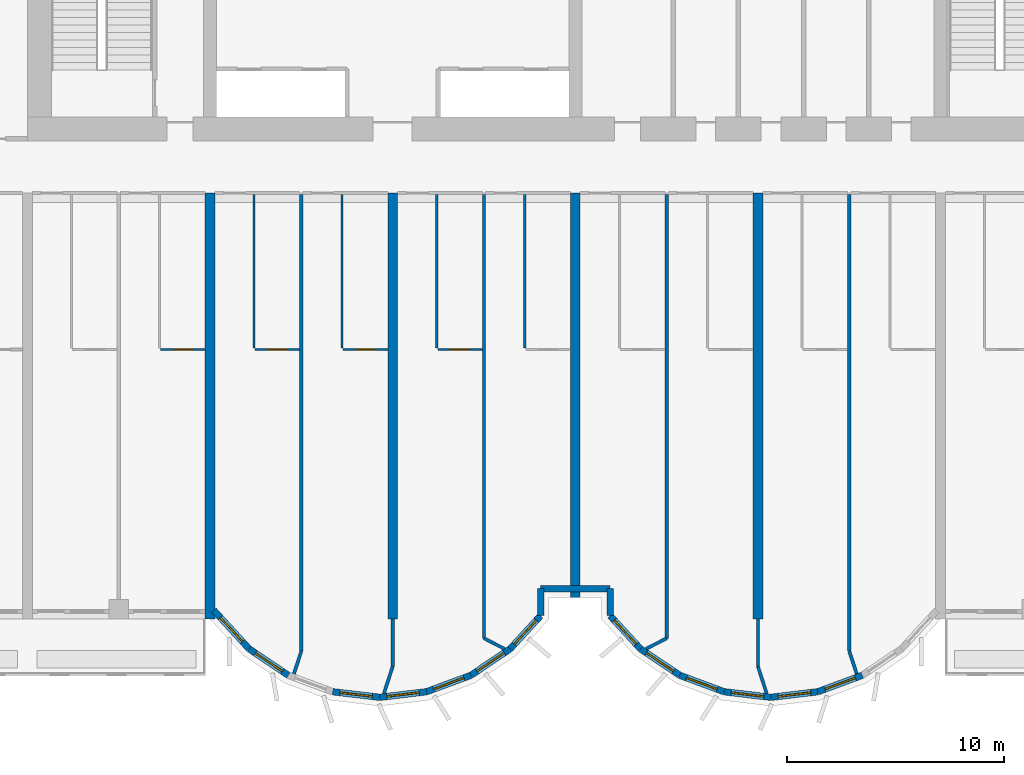
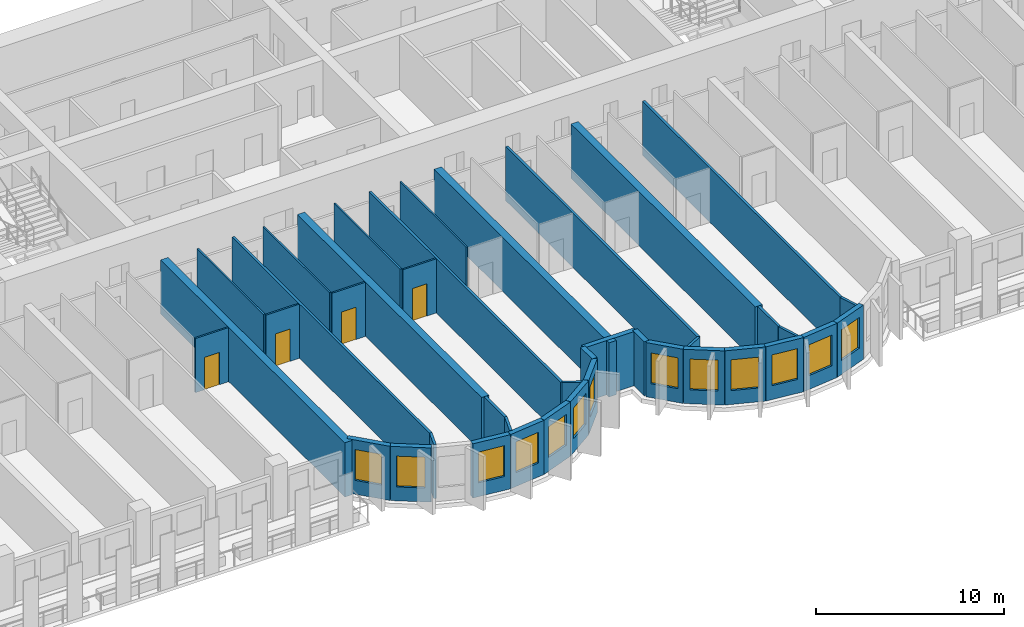
# One storey, part 4 of 15: 40 walls, 13 windows, 4 doors, 17 openings.
"""IFC4 building model written with IfcOpenShell, lengths in metres."""

from ifc_helpers import new_model, si_unit, direction, frame, frame_2d, origin, place, context, subcontext, project, spatial, rectangle, extrude, source, transform, mapped, material, layer, layer_set, type_object, element, fill, save


model = new_model("IFC4")

# Units and contexts
model_context = context("Model", 3, precision=1e-05, world=origin(), true_north=direction((0.0, 1.0)))
body_context = subcontext(model_context, "Body", "Model", "MODEL_VIEW")
ifc_project = project(units=[si_unit("LENGTHUNIT", "METRE"), si_unit("AREAUNIT", "SQUARE_METRE"), si_unit("VOLUMEUNIT", "CUBIC_METRE"), si_unit("PLANEANGLEUNIT", "RADIAN"), si_unit("MASSUNIT", "GRAM", prefix="KILO")], contexts=[model_context])

# Site, building, storey
site_placement = place(None, origin())
site = spatial("IfcSite", under=ifc_project, at=site_placement, CompositionType="ELEMENT")
building_placement = place(site_placement, origin())
building = spatial("IfcBuilding", under=site, at=building_placement, Name="Vanashikhar Sky Hotel", CompositionType="ELEMENT")
storey_placement = place(building_placement, frame((0.0, 0.0, 35.39990234375)))
storey = spatial("IfcBuildingStorey", under=building, at=storey_placement, Name="L07", CompositionType="ELEMENT", Elevation=35.39990234375)

# Walls
ifc_material_1 = material(Name="Concrete M80", Category="concrete")
ifc_layer_1 = layer(ifc_material_1, 0.449951171875)
ifc_layer_set_1 = layer_set([ifc_layer_1], Name="RC shear wall 450 Concrete M80")
wall_type_1 = type_object("IfcWallType", Name="RC shear wall 450 Concrete M80", PredefinedType="SHEAR", material=ifc_layer_set_1)
shared_shape_1 = source(origin(), body_context, "Body", "SweptSolid", [
    extrude(rectangle(XDim=19.60009765625, YDim=0.449951171875, at=frame_2d((9.800048828125, 0.0))), origin(), (0.0, 0.0, 1.0), 3.52001953125),
])
for number, where, z_axis, x_axis, name in (
    (1, (33.60009765625, 0.0, 0.0), (0.0, 0.0, 1.0), (0.0, 1.0, 0.0), "CW-L07-XW05-1"),
    (2, (42.0, 0.0, 0.0), (0.0, 0.0, 1.0), (0.0, 1.0, 0.0), "CW-L07-XW06-1"),
    (3, (58.800048828125, 0.0, 0.0), (0.0, 0.0, 1.0), (0.0, 1.0, 0.0), "CW-L07-XW08-1"),
):
    element("IfcWall", number, at=place(storey_placement, frame(where, z_axis=z_axis, x_axis=x_axis)), inside=storey, type_object=wall_type_1, Name=name, PredefinedType="SHEAR", context=body_context, shape_type="MappedRepresentation", body=[
        mapped(shared_shape_1, transform((0.0, 0.0, 0.0), scale=1.0)),
    ])
shared_shape_2 = source(origin(), body_context, "Body", "SweptSolid", [
    extrude(rectangle(XDim=18.60009765625, YDim=0.449951171875, at=frame_2d((9.300048828125, 0.0))), origin(), (0.0, 0.0, 1.0), 3.52001953125),
])
wall_1_placement = place(storey_placement, frame((50.39990234375, 1.0, 0.0), z_axis=(0.0, 0.0, 1.0), x_axis=(0.0, 1.0, 0.0)))
element("IfcWall", 4, at=wall_1_placement, inside=storey, type_object=wall_type_1, Name="CW-L07-XW07-1", PredefinedType="SHEAR", context=body_context, shape_type="MappedRepresentation", body=[
    mapped(shared_shape_2, transform((0.0, 0.0, 0.0), scale=1.0)),
])

# Wall, opening, window
ifc_material_2 = material(Name="Concrete M50", Category="concrete")
ifc_layer_2 = layer(ifc_material_2, 0.300048828125)
ifc_layer_set_2 = layer_set([ifc_layer_2], Name="Lobe wall 300")
wall_type_2 = type_object("IfcWallType", Name="Lobe wall 300", PredefinedType="SOLIDWALL", material=ifc_layer_set_2)
shared_shape_3 = source(origin(), body_context, "Body", "SweptSolid", [
    extrude(rectangle(XDim=2.398193359375, YDim=0.300048828125, at=frame_2d((1.19921875, 0.0))), origin(), (0.0, 0.0, 1.0), 3.52001953125),
])
wall_2_placement = place(storey_placement, frame((33.776123046875, 0.39990234375, 0.0), z_axis=(0.0, 0.0, 1.0), x_axis=(0.675374189419, -0.737475222815, 0.0)))
wall_2 = element("IfcWall", 5, at=wall_2_placement, inside=storey, type_object=wall_type_2, Name="Lobe wall", PredefinedType="SOLIDWALL", context=body_context, shape_type="MappedRepresentation", body=[
    mapped(shared_shape_3, transform((0.0, 0.0, 0.0), scale=1.0)),
])
shared_shape_4 = source(origin(), body_context, "Body", "SweptSolid", [
    extrude(rectangle(XDim=1.5, YDim=2.0, at=frame_2d((0.75, 1.0))), frame((0.0, 0.16015625, 0.0), z_axis=(0.0, -1.0, 0.0), x_axis=(1.0, 0.0, 0.0)), (0.0, 0.0, 1.0), 0.320068359375),
])
opening_1_placement = place(wall_2_placement, frame((0.44921875, 0.0, 0.89990234375)))
opening_1 = element("IfcOpeningElement", 6, at=opening_1_placement, cuts=wall_2, Name="Opening WN-2", PredefinedType="OPENING", context=body_context, shape_type="MappedRepresentation", body=[
    mapped(shared_shape_4, transform((0.0, 0.0, 0.0), scale=1.0)),
])
ifc_material_3 = material(Name="Glass", Category="glass")
window_type = type_object("IfcWindowType", Name="Lobe window 1500 x 2000", PartitioningType="SINGLE_PANEL", PredefinedType="WINDOW", material=ifc_material_3)
shared_shape_5 = source(origin(), body_context, "Body", "SweptSolid", [
    extrude(rectangle(XDim=1.5, YDim=2.0, at=frame_2d((0.75, 1.0))), frame((0.0, 0.030029296875, 0.0), z_axis=(0.0, -1.0, 0.0), x_axis=(1.0, 0.0, 0.0)), (0.0, 0.0, 1.0), 0.06005859375),
])
window_1_placement = place(opening_1_placement, origin())
window_1 = element("IfcWindow", 7, at=window_1_placement, inside=storey, type_object=window_type, Name="Window WN-2", OverallHeight=2.0, OverallWidth=1.5, PartitioningType="SINGLE_PANEL", PredefinedType="WINDOW", context=body_context, shape_type="MappedRepresentation", body=[
    mapped(shared_shape_5, transform((0.0, 0.0, 0.0), scale=1.0)),
])
fill(opening_1, window_1)

shared_shape_6 = source(origin(), body_context, "Body", "SweptSolid", [
    extrude(rectangle(XDim=2.17578125, YDim=0.300048828125, at=frame_2d((1.087890625, 0.0))), origin(), (0.0, 0.0, 1.0), 3.52001953125),
])
wall_3_placement = place(storey_placement, frame((35.395751953125, -1.36865234375, 0.0), z_axis=(0.0, 0.0, 1.0), x_axis=(0.829590746428, -0.558371913192, 0.0)))
wall_3 = element("IfcWall", 8, at=wall_3_placement, inside=storey, type_object=wall_type_2, Name="Lobe wall", PredefinedType="SOLIDWALL", context=body_context, shape_type="MappedRepresentation", body=[
    mapped(shared_shape_6, transform((0.0, 0.0, 0.0), scale=1.0)),
])
opening_2_placement = place(wall_3_placement, frame((0.337890625, 0.0, 0.89990234375)))
opening_2 = element("IfcOpeningElement", 9, at=opening_2_placement, cuts=wall_3, Name="Opening WN-2", PredefinedType="OPENING", context=body_context, shape_type="MappedRepresentation", body=[
    mapped(shared_shape_4, transform((0.0, 0.0, 0.0), scale=1.0)),
])
window_2_placement = place(opening_2_placement, origin())
window_2 = element("IfcWindow", 10, at=window_2_placement, inside=storey, type_object=window_type, Name="Window WN-2", OverallHeight=2.0, OverallWidth=1.5, PartitioningType="SINGLE_PANEL", PredefinedType="WINDOW", context=body_context, shape_type="MappedRepresentation", body=[
    mapped(shared_shape_5, transform((0.0, 0.0, 0.0), scale=1.0)),
])
fill(opening_2, window_2)

wall_4_placement = place(storey_placement, frame((45.59912109375, -2.58349609375, 0.0), z_axis=(0.0, 0.0, 1.0), x_axis=(0.829625727223, 0.558319937607, 0.0)))
wall_4 = element("IfcWall", 11, at=wall_4_placement, inside=storey, type_object=wall_type_2, Name="Lobe wall", PredefinedType="SOLIDWALL", context=body_context, shape_type="MappedRepresentation", body=[
    mapped(shared_shape_6, transform((0.0, 0.0, 0.0), scale=1.0)),
])
opening_3_placement = place(wall_4_placement, frame((0.337890625, 0.0, 0.89990234375)))
opening_3 = element("IfcOpeningElement", 12, at=opening_3_placement, cuts=wall_4, Name="Opening WN-2", PredefinedType="OPENING", context=body_context, shape_type="MappedRepresentation", body=[
    mapped(shared_shape_4, transform((0.0, 0.0, 0.0), scale=1.0)),
])
window_3_placement = place(opening_3_placement, origin())
window_3 = element("IfcWindow", 13, at=window_3_placement, inside=storey, type_object=window_type, Name="Window WN-2", OverallHeight=2.0, OverallWidth=1.5, PartitioningType="SINGLE_PANEL", PredefinedType="WINDOW", context=body_context, shape_type="MappedRepresentation", body=[
    mapped(shared_shape_5, transform((0.0, 0.0, 0.0), scale=1.0)),
])
fill(opening_3, window_3)

wall_5_placement = place(storey_placement, frame((53.395751953125, -1.36865234375, 0.0), z_axis=(0.0, 0.0, 1.0), x_axis=(0.829590746428, -0.558371913192, 0.0)))
wall_5 = element("IfcWall", 14, at=wall_5_placement, inside=storey, type_object=wall_type_2, Name="Lobe wall", PredefinedType="SOLIDWALL", context=body_context, shape_type="MappedRepresentation", body=[
    mapped(shared_shape_6, transform((0.0, 0.0, 0.0), scale=1.0)),
])
opening_4_placement = place(wall_5_placement, frame((0.337890625, 0.0, 0.89990234375)))
opening_4 = element("IfcOpeningElement", 15, at=opening_4_placement, cuts=wall_5, Name="Opening WN-2", PredefinedType="OPENING", context=body_context, shape_type="MappedRepresentation", body=[
    mapped(shared_shape_4, transform((0.0, 0.0, 0.0), scale=1.0)),
])
window_4_placement = place(opening_4_placement, origin())
window_4 = element("IfcWindow", 16, at=window_4_placement, inside=storey, type_object=window_type, Name="Window WN-2", OverallHeight=2.0, OverallWidth=1.5, PartitioningType="SINGLE_PANEL", PredefinedType="WINDOW", context=body_context, shape_type="MappedRepresentation", body=[
    mapped(shared_shape_5, transform((0.0, 0.0, 0.0), scale=1.0)),
])
fill(opening_4, window_4)

wall_6_placement = place(storey_placement, frame((55.20068359375, -2.58349609375, 0.0), z_axis=(0.0, 0.0, 1.0), x_axis=(0.93754555999, -0.347862505801, 0.0)))
wall_6 = element("IfcWall", 17, at=wall_6_placement, inside=storey, type_object=wall_type_2, Name="Lobe wall", PredefinedType="SOLIDWALL", context=body_context, shape_type="MappedRepresentation", body=[
    mapped(shared_shape_6, transform((0.0, 0.0, 0.0), scale=1.0)),
])
opening_5_placement = place(wall_6_placement, frame((0.337890625, 0.0, 0.89990234375)))
opening_5 = element("IfcOpeningElement", 18, at=opening_5_placement, cuts=wall_6, Name="Opening WN-2", PredefinedType="OPENING", context=body_context, shape_type="MappedRepresentation", body=[
    mapped(shared_shape_4, transform((0.0, 0.0, 0.0), scale=1.0)),
])
window_5_placement = place(opening_5_placement, origin())
window_5 = element("IfcWindow", 19, at=window_5_placement, inside=storey, type_object=window_type, Name="Window WN-2", OverallHeight=2.0, OverallWidth=1.5, PartitioningType="SINGLE_PANEL", PredefinedType="WINDOW", context=body_context, shape_type="MappedRepresentation", body=[
    mapped(shared_shape_5, transform((0.0, 0.0, 0.0), scale=1.0)),
])
fill(opening_5, window_5)

shared_shape_7 = source(origin(), body_context, "Body", "SweptSolid", [
    extrude(rectangle(XDim=2.174560546875, YDim=0.300048828125, at=frame_2d((1.08740234375, 0.0))), origin(), (0.0, 0.0, 1.0), 3.52001953125),
])
wall_7_placement = place(storey_placement, frame((39.240478515625, -3.34033203125, 0.0), z_axis=(0.0, 0.0, 1.0), x_axis=(0.993001132889, -0.118104826659, 0.0)))
wall_7 = element("IfcWall", 20, at=wall_7_placement, inside=storey, type_object=wall_type_2, Name="Lobe wall", PredefinedType="SOLIDWALL", context=body_context, shape_type="MappedRepresentation", body=[
    mapped(shared_shape_7, transform((0.0, 0.0, 0.0), scale=1.0)),
])
opening_6_placement = place(wall_7_placement, frame((0.33740234375, 0.0, 0.89990234375)))
opening_6 = element("IfcOpeningElement", 21, at=opening_6_placement, cuts=wall_7, Name="Opening WN-2", PredefinedType="OPENING", context=body_context, shape_type="MappedRepresentation", body=[
    mapped(shared_shape_4, transform((0.0, 0.0, 0.0), scale=1.0)),
])
window_6_placement = place(opening_6_placement, origin())
window_6 = element("IfcWindow", 22, at=window_6_placement, inside=storey, type_object=window_type, Name="Window WN-2", OverallHeight=2.0, OverallWidth=1.5, PartitioningType="SINGLE_PANEL", PredefinedType="WINDOW", context=body_context, shape_type="MappedRepresentation", body=[
    mapped(shared_shape_5, transform((0.0, 0.0, 0.0), scale=1.0)),
])
fill(opening_6, window_6)

wall_8_placement = place(storey_placement, frame((57.240478515625, -3.34033203125, 0.0), z_axis=(0.0, 0.0, 1.0), x_axis=(0.993001132889, -0.118104826659, 0.0)))
wall_8 = element("IfcWall", 23, at=wall_8_placement, inside=storey, type_object=wall_type_2, Name="Lobe wall", PredefinedType="SOLIDWALL", context=body_context, shape_type="MappedRepresentation", body=[
    mapped(shared_shape_7, transform((0.0, 0.0, 0.0), scale=1.0)),
])
opening_7_placement = place(wall_8_placement, frame((0.33740234375, 0.0, 0.89990234375)))
opening_7 = element("IfcOpeningElement", 24, at=opening_7_placement, cuts=wall_8, Name="Opening WN-2", PredefinedType="OPENING", context=body_context, shape_type="MappedRepresentation", body=[
    mapped(shared_shape_4, transform((0.0, 0.0, 0.0), scale=1.0)),
])
window_7_placement = place(opening_7_placement, origin())
window_7 = element("IfcWindow", 25, at=window_7_placement, inside=storey, type_object=window_type, Name="Window WN-2", OverallHeight=2.0, OverallWidth=1.5, PartitioningType="SINGLE_PANEL", PredefinedType="WINDOW", context=body_context, shape_type="MappedRepresentation", body=[
    mapped(shared_shape_5, transform((0.0, 0.0, 0.0), scale=1.0)),
])
fill(opening_7, window_7)

shared_shape_8 = source(origin(), body_context, "Body", "SweptSolid", [
    extrude(rectangle(XDim=2.1748046875, YDim=0.300048828125, at=frame_2d((1.08740234375, 0.0))), origin(), (0.0, 0.0, 1.0), 3.52001953125),
])
wall_9_placement = place(storey_placement, frame((41.39990234375, -3.59716796875, 0.0), z_axis=(0.0, 0.0, 1.0), x_axis=(0.993002698611, 0.118091661648, 0.0)))
wall_9 = element("IfcWall", 26, at=wall_9_placement, inside=storey, type_object=wall_type_2, Name="Lobe wall", PredefinedType="SOLIDWALL", context=body_context, shape_type="MappedRepresentation", body=[
    mapped(shared_shape_8, transform((0.0, 0.0, 0.0), scale=1.0)),
])
opening_8_placement = place(wall_9_placement, frame((0.33740234375, 0.0, 0.89990234375)))
opening_8 = element("IfcOpeningElement", 27, at=opening_8_placement, cuts=wall_9, Name="Opening WN-2", PredefinedType="OPENING", context=body_context, shape_type="MappedRepresentation", body=[
    mapped(shared_shape_4, transform((0.0, 0.0, 0.0), scale=1.0)),
])
window_8_placement = place(opening_8_placement, origin())
window_8 = element("IfcWindow", 28, at=window_8_placement, inside=storey, type_object=window_type, Name="Window WN-2", OverallHeight=2.0, OverallWidth=1.5, PartitioningType="SINGLE_PANEL", PredefinedType="WINDOW", context=body_context, shape_type="MappedRepresentation", body=[
    mapped(shared_shape_5, transform((0.0, 0.0, 0.0), scale=1.0)),
])
fill(opening_8, window_8)

wall_10_placement = place(storey_placement, frame((59.39990234375, -3.59716796875, 0.0), z_axis=(0.0, 0.0, 1.0), x_axis=(0.993002698611, 0.118091661648, 0.0)))
wall_10 = element("IfcWall", 29, at=wall_10_placement, inside=storey, type_object=wall_type_2, Name="Lobe wall", PredefinedType="SOLIDWALL", context=body_context, shape_type="MappedRepresentation", body=[
    mapped(shared_shape_8, transform((0.0, 0.0, 0.0), scale=1.0)),
])
opening_9_placement = place(wall_10_placement, frame((0.33740234375, 0.0, 0.89990234375)))
opening_9 = element("IfcOpeningElement", 30, at=opening_9_placement, cuts=wall_10, Name="Opening WN-2", PredefinedType="OPENING", context=body_context, shape_type="MappedRepresentation", body=[
    mapped(shared_shape_4, transform((0.0, 0.0, 0.0), scale=1.0)),
])
window_9_placement = place(opening_9_placement, origin())
window_9 = element("IfcWindow", 31, at=window_9_placement, inside=storey, type_object=window_type, Name="Window WN-2", OverallHeight=2.0, OverallWidth=1.5, PartitioningType="SINGLE_PANEL", PredefinedType="WINDOW", context=body_context, shape_type="MappedRepresentation", body=[
    mapped(shared_shape_5, transform((0.0, 0.0, 0.0), scale=1.0)),
])
fill(opening_9, window_9)

shared_shape_9 = source(origin(), body_context, "Body", "SweptSolid", [
    extrude(rectangle(XDim=2.175537109375, YDim=0.300048828125, at=frame_2d((1.087890625, 0.0))), origin(), (0.0, 0.0, 1.0), 3.52001953125),
])
wall_11_placement = place(storey_placement, frame((43.5595703125, -3.34033203125, 0.0), z_axis=(0.0, 0.0, 1.0), x_axis=(0.937531979054, 0.347899106424, 0.0)))
wall_11 = element("IfcWall", 32, at=wall_11_placement, inside=storey, type_object=wall_type_2, Name="Lobe wall", PredefinedType="SOLIDWALL", context=body_context, shape_type="MappedRepresentation", body=[
    mapped(shared_shape_9, transform((0.0, 0.0, 0.0), scale=1.0)),
])
opening_10_placement = place(wall_11_placement, frame((0.337890625, 0.0, 0.89990234375)))
opening_10 = element("IfcOpeningElement", 33, at=opening_10_placement, cuts=wall_11, Name="Opening WN-2", PredefinedType="OPENING", context=body_context, shape_type="MappedRepresentation", body=[
    mapped(shared_shape_4, transform((0.0, 0.0, 0.0), scale=1.0)),
])
window_10_placement = place(opening_10_placement, origin())
window_10 = element("IfcWindow", 34, at=window_10_placement, inside=storey, type_object=window_type, Name="Window WN-2", OverallHeight=2.0, OverallWidth=1.5, PartitioningType="SINGLE_PANEL", PredefinedType="WINDOW", context=body_context, shape_type="MappedRepresentation", body=[
    mapped(shared_shape_5, transform((0.0, 0.0, 0.0), scale=1.0)),
])
fill(opening_10, window_10)

wall_12_placement = place(storey_placement, frame((61.5595703125, -3.34033203125, 0.0), z_axis=(0.0, 0.0, 1.0), x_axis=(0.937531979054, 0.347899106424, 0.0)))
wall_12 = element("IfcWall", 35, at=wall_12_placement, inside=storey, type_object=wall_type_2, Name="Lobe wall", PredefinedType="SOLIDWALL", context=body_context, shape_type="MappedRepresentation", body=[
    mapped(shared_shape_9, transform((0.0, 0.0, 0.0), scale=1.0)),
])
opening_11_placement = place(wall_12_placement, frame((0.337890625, 0.0, 0.89990234375)))
opening_11 = element("IfcOpeningElement", 36, at=opening_11_placement, cuts=wall_12, Name="Opening WN-2", PredefinedType="OPENING", context=body_context, shape_type="MappedRepresentation", body=[
    mapped(shared_shape_4, transform((0.0, 0.0, 0.0), scale=1.0)),
])
window_11_placement = place(opening_11_placement, origin())
window_11 = element("IfcWindow", 37, at=window_11_placement, inside=storey, type_object=window_type, Name="Window WN-2", OverallHeight=2.0, OverallWidth=1.5, PartitioningType="SINGLE_PANEL", PredefinedType="WINDOW", context=body_context, shape_type="MappedRepresentation", body=[
    mapped(shared_shape_5, transform((0.0, 0.0, 0.0), scale=1.0)),
])
fill(opening_11, window_11)

shared_shape_10 = source(origin(), body_context, "Body", "SweptSolid", [
    extrude(rectangle(XDim=2.066650390625, YDim=0.300048828125, at=frame_2d((1.033203125, 0.0))), origin(), (0.0, 0.0, 1.0), 3.52001953125),
])
wall_13_placement = place(storey_placement, frame((47.404296875, -1.36865234375, 0.0), z_axis=(0.0, 0.0, 1.0), x_axis=(0.675355439877, 0.737492393065, 0.0)))
wall_13 = element("IfcWall", 38, at=wall_13_placement, inside=storey, type_object=wall_type_2, Name="Lobe wall", PredefinedType="SOLIDWALL", context=body_context, shape_type="MappedRepresentation", body=[
    mapped(shared_shape_10, transform((0.0, 0.0, 0.0), scale=1.0)),
])
opening_12_placement = place(wall_13_placement, frame((0.283447265625, 0.0, 0.89990234375)))
opening_12 = element("IfcOpeningElement", 39, at=opening_12_placement, cuts=wall_13, Name="Opening WN-2", PredefinedType="OPENING", context=body_context, shape_type="MappedRepresentation", body=[
    mapped(shared_shape_4, transform((0.0, 0.0, 0.0), scale=1.0)),
])
window_12_placement = place(opening_12_placement, origin())
window_12 = element("IfcWindow", 40, at=window_12_placement, inside=storey, type_object=window_type, Name="Window WN-2", OverallHeight=2.0, OverallWidth=1.5, PartitioningType="SINGLE_PANEL", PredefinedType="WINDOW", context=body_context, shape_type="MappedRepresentation", body=[
    mapped(shared_shape_5, transform((0.0, 0.0, 0.0), scale=1.0)),
])
fill(opening_12, window_12)

wall_14_placement = place(storey_placement, frame((52.0, 0.155517578125, 0.0), z_axis=(0.0, 0.0, 1.0), x_axis=(0.675355439877, -0.737492393065, 0.0)))
wall_14 = element("IfcWall", 41, at=wall_14_placement, inside=storey, type_object=wall_type_2, Name="Lobe wall", PredefinedType="SOLIDWALL", context=body_context, shape_type="MappedRepresentation", body=[
    mapped(shared_shape_10, transform((0.0, 0.0, 0.0), scale=1.0)),
])
opening_13_placement = place(wall_14_placement, frame((0.283447265625, 0.0, 0.89990234375)))
opening_13 = element("IfcOpeningElement", 42, at=opening_13_placement, cuts=wall_14, Name="Opening WN-2", PredefinedType="OPENING", context=body_context, shape_type="MappedRepresentation", body=[
    mapped(shared_shape_4, transform((0.0, 0.0, 0.0), scale=1.0)),
])
window_13_placement = place(opening_13_placement, origin())
window_13 = element("IfcWindow", 43, at=window_13_placement, inside=storey, type_object=window_type, Name="Window WN-2", OverallHeight=2.0, OverallWidth=1.5, PartitioningType="SINGLE_PANEL", PredefinedType="WINDOW", context=body_context, shape_type="MappedRepresentation", body=[
    mapped(shared_shape_5, transform((0.0, 0.0, 0.0), scale=1.0)),
])
fill(opening_13, window_13)

# Walls
shared_shape_11 = source(origin(), body_context, "Body", "SweptSolid", [
    extrude(rectangle(XDim=1.244384765625, YDim=0.300048828125, at=frame_2d((0.6220703125, 0.0))), origin(), (0.0, 0.0, 1.0), 3.52001953125),
])
for number, where, z_axis, x_axis, name in (
    (44, (48.800048828125, 0.155517578125, 0.0), (0.0, 0.0, 1.0), (0.0, 1.0, 0.0), "Groove wall"),
    (45, (52.0, 1.39990234375, 0.0), (0.0, 0.0, 1.0), (0.0, -1.0, 0.0), "Groove wall"),
):
    element("IfcWall", number, at=place(storey_placement, frame(where, z_axis=z_axis, x_axis=x_axis)), inside=storey, type_object=wall_type_2, Name=name, PredefinedType="SOLIDWALL", context=body_context, shape_type="MappedRepresentation", body=[
        mapped(shared_shape_11, transform((0.0, 0.0, 0.0), scale=1.0)),
    ])
shared_shape_12 = source(origin(), body_context, "Body", "SweptSolid", [
    extrude(rectangle(XDim=3.199951171875, YDim=0.300048828125, at=frame_2d((1.60009765625, 0.0))), origin(), (0.0, 0.0, 1.0), 3.52001953125),
])
wall_15_placement = place(storey_placement, frame((48.800048828125, 1.39990234375, 0.0), z_axis=(0.0, 0.0, 1.0), x_axis=(1.0, 0.0, 0.0)))
element("IfcWall", 46, at=wall_15_placement, inside=storey, type_object=wall_type_2, Name="Groove wall", PredefinedType="SOLIDWALL", context=body_context, shape_type="MappedRepresentation", body=[
    mapped(shared_shape_12, transform((0.0, 0.0, 0.0), scale=1.0)),
])
ifc_material_4 = material(Name="Gypsum plasterboard partition")
ifc_layer_3 = layer(ifc_material_4, 0.10009765625)
ifc_layer_set_3 = layer_set([ifc_layer_3], Name="Wet room partition 100")
wall_type_3 = type_object("IfcWallType", Name="Wet room partition 100", PredefinedType="PARTITIONING", material=ifc_layer_set_3)
shared_shape_13 = source(origin(), body_context, "Body", "SweptSolid", [
    extrude(rectangle(XDim=7.0498046875, YDim=0.10009765625, at=frame_2d((3.52490234375, 0.0))), origin(), (0.0, 0.0, 1.0), 3.52001953125),
])
for number, where, z_axis, x_axis, name in (
    (47, (35.625, 12.47509765625, 0.0), (0.0, 0.0, 1.0), (0.0, 1.0, 0.0), "W-L07-PW029"),
    (48, (39.675048828125, 12.47509765625, 0.0), (0.0, 0.0, 1.0), (0.0, 1.0, 0.0), "W-L07-PW032"),
    (49, (44.02490234375, 12.47509765625, 0.0), (0.0, 0.0, 1.0), (0.0, 1.0, 0.0), "W-L07-PW036"),
    (50, (48.074951171875, 12.47509765625, 0.0), (0.0, 0.0, 1.0), (0.0, 1.0, 0.0), "W-L07-PW039"),
):
    element("IfcWall", number, at=place(storey_placement, frame(where, z_axis=z_axis, x_axis=x_axis)), inside=storey, type_object=wall_type_3, Name=name, PredefinedType="PARTITIONING", context=body_context, shape_type="MappedRepresentation", body=[
        mapped(shared_shape_13, transform((0.0, 0.0, 0.0), scale=1.0)),
    ])

# Wall, opening, door
shared_shape_14 = source(origin(), body_context, "Body", "SweptSolid", [
    extrude(rectangle(XDim=2.050048828125, YDim=0.10009765625, at=frame_2d((1.02490234375, 0.0))), origin(), (0.0, 0.0, 1.0), 3.52001953125),
])
wall_16_placement = place(storey_placement, frame((31.324951171875, 12.39990234375, 0.0), z_axis=(0.0, 0.0, 1.0), x_axis=(1.0, 0.0, 0.0)))
wall_16 = element("IfcWall", 51, at=wall_16_placement, inside=storey, type_object=wall_type_3, Name="W-L07-PW026", PredefinedType="PARTITIONING", context=body_context, shape_type="MappedRepresentation", body=[
    mapped(shared_shape_14, transform((0.0, 0.0, 0.0), scale=1.0)),
])
shared_shape_15 = source(origin(), body_context, "Body", "SweptSolid", [
    extrude(rectangle(XDim=0.89990234375, YDim=2.10009765625, at=frame_2d((0.449951171875, 1.050048828125))), frame((0.0, 0.06005859375, 0.0), z_axis=(0.0, -1.0, 0.0), x_axis=(1.0, 0.0, 0.0)), (0.0, 0.0, 1.0), 0.1201171875),
])
opening_14_placement = place(wall_16_placement, frame((0.574951171875, 0.0, 0.0)))
opening_14 = element("IfcOpeningElement", 52, at=opening_14_placement, cuts=wall_16, Name="Opening D-02", PredefinedType="OPENING", context=body_context, shape_type="MappedRepresentation", body=[
    mapped(shared_shape_15, transform((0.0, 0.0, 0.0), scale=1.0)),
])
ifc_material_5 = material(Name="Timber door", Category="wood")
door_type = type_object("IfcDoorType", Name="Internal door 900", OperationType="NOTDEFINED", PredefinedType="DOOR", material=ifc_material_5)
shared_shape_16 = source(origin(), body_context, "Body", "SweptSolid", [
    extrude(rectangle(XDim=0.89990234375, YDim=2.10009765625, at=frame_2d((0.449951171875, 1.050048828125))), frame((0.0, 0.02490234375, 0.0), z_axis=(0.0, -1.0, 0.0), x_axis=(1.0, 0.0, 0.0)), (0.0, 0.0, 1.0), 0.050048828125),
])
door_1_placement = place(opening_14_placement, origin())
door_1 = element("IfcDoor", 53, at=door_1_placement, inside=storey, type_object=door_type, Name="D-L07-015", OperationType="SINGLE_SWING_LEFT", OverallHeight=2.10009765625, OverallWidth=0.89990234375, PredefinedType="DOOR", context=body_context, shape_type="MappedRepresentation", body=[
    mapped(shared_shape_16, transform((0.0, 0.0, 0.0), scale=1.0)),
])
fill(opening_14, door_1)

wall_17_placement = place(storey_placement, frame((35.675048828125, 12.39990234375, 0.0), z_axis=(0.0, 0.0, 1.0), x_axis=(1.0, 0.0, 0.0)))
wall_17 = element("IfcWall", 54, at=wall_17_placement, inside=storey, type_object=wall_type_3, Name="W-L07-PW030", PredefinedType="PARTITIONING", context=body_context, shape_type="MappedRepresentation", body=[
    mapped(shared_shape_14, transform((0.0, 0.0, 0.0), scale=1.0)),
])
opening_15_placement = place(wall_17_placement, frame((0.574951171875, 0.0, 0.0)))
opening_15 = element("IfcOpeningElement", 55, at=opening_15_placement, cuts=wall_17, Name="Opening D-02", PredefinedType="OPENING", context=body_context, shape_type="MappedRepresentation", body=[
    mapped(shared_shape_15, transform((0.0, 0.0, 0.0), scale=1.0)),
])
door_2_placement = place(opening_15_placement, origin())
door_2 = element("IfcDoor", 56, at=door_2_placement, inside=storey, type_object=door_type, Name="D-L07-017", OperationType="SINGLE_SWING_LEFT", OverallHeight=2.10009765625, OverallWidth=0.89990234375, PredefinedType="DOOR", context=body_context, shape_type="MappedRepresentation", body=[
    mapped(shared_shape_16, transform((0.0, 0.0, 0.0), scale=1.0)),
])
fill(opening_15, door_2)

wall_18_placement = place(storey_placement, frame((44.074951171875, 12.39990234375, 0.0), z_axis=(0.0, 0.0, 1.0), x_axis=(1.0, 0.0, 0.0)))
wall_18 = element("IfcWall", 57, at=wall_18_placement, inside=storey, type_object=wall_type_3, Name="W-L07-PW037", PredefinedType="PARTITIONING", context=body_context, shape_type="MappedRepresentation", body=[
    mapped(shared_shape_14, transform((0.0, 0.0, 0.0), scale=1.0)),
])
opening_16_placement = place(wall_18_placement, frame((0.574951171875, 0.0, 0.0)))
opening_16 = element("IfcOpeningElement", 58, at=opening_16_placement, cuts=wall_18, Name="Opening D-02", PredefinedType="OPENING", context=body_context, shape_type="MappedRepresentation", body=[
    mapped(shared_shape_15, transform((0.0, 0.0, 0.0), scale=1.0)),
])
door_3_placement = place(opening_16_placement, origin())
door_3 = element("IfcDoor", 59, at=door_3_placement, inside=storey, type_object=door_type, Name="D-L07-021", OperationType="SINGLE_SWING_LEFT", OverallHeight=2.10009765625, OverallWidth=0.89990234375, PredefinedType="DOOR", context=body_context, shape_type="MappedRepresentation", body=[
    mapped(shared_shape_16, transform((0.0, 0.0, 0.0), scale=1.0)),
])
fill(opening_16, door_3)

shared_shape_17 = source(origin(), body_context, "Body", "SweptSolid", [
    extrude(rectangle(XDim=2.0498046875, YDim=0.10009765625, at=frame_2d((1.02490234375, 0.0))), origin(), (0.0, 0.0, 1.0), 3.52001953125),
])
wall_19_placement = place(storey_placement, frame((39.72509765625, 12.39990234375, 0.0), z_axis=(0.0, 0.0, 1.0), x_axis=(1.0, 0.0, 0.0)))
wall_19 = element("IfcWall", 60, at=wall_19_placement, inside=storey, type_object=wall_type_3, Name="W-L07-PW033", PredefinedType="PARTITIONING", context=body_context, shape_type="MappedRepresentation", body=[
    mapped(shared_shape_17, transform((0.0, 0.0, 0.0), scale=1.0)),
])
opening_17_placement = place(wall_19_placement, frame((0.574951171875, 0.0, 0.0)))
opening_17 = element("IfcOpeningElement", 61, at=opening_17_placement, cuts=wall_19, Name="Opening D-02", PredefinedType="OPENING", context=body_context, shape_type="MappedRepresentation", body=[
    mapped(shared_shape_15, transform((0.0, 0.0, 0.0), scale=1.0)),
])
door_4_placement = place(opening_17_placement, origin())
door_4 = element("IfcDoor", 62, at=door_4_placement, inside=storey, type_object=door_type, Name="D-L07-019", OperationType="SINGLE_SWING_LEFT", OverallHeight=2.10009765625, OverallWidth=0.89990234375, PredefinedType="DOOR", context=body_context, shape_type="MappedRepresentation", body=[
    mapped(shared_shape_16, transform((0.0, 0.0, 0.0), scale=1.0)),
])
fill(opening_17, door_4)

# Walls
ifc_layer_4 = layer(ifc_material_4, 0.14990234375)
ifc_layer_set_4 = layer_set([ifc_layer_4], Name="Corridor and demising partition 150")
wall_type_4 = type_object("IfcWallType", Name="Corridor and demising partition 150", PredefinedType="PARTITIONING", material=ifc_layer_set_4)
shared_shape_18 = source(origin(), body_context, "Body", "SweptSolid", [
    extrude(rectangle(XDim=20.997802734375, YDim=0.14990234375, at=frame_2d((10.4990234375, 0.0))), origin(), (0.0, 0.0, 1.0), 3.52001953125),
])
for number, where, z_axis, x_axis, name in (
    (63, (37.800048828125, -1.472900390625, 0.0), (0.0, 0.0, 1.0), (0.0, 1.0, 0.0), "W-L07-PW035"),
    (64, (63.0, -1.472900390625, 0.0), (0.0, 0.0, 1.0), (0.0, 1.0, 0.0), "W-L07-PW056"),
):
    element("IfcWall", number, at=place(storey_placement, frame(where, z_axis=z_axis, x_axis=x_axis)), inside=storey, type_object=wall_type_4, Name=name, PredefinedType="PARTITIONING", context=body_context, shape_type="MappedRepresentation", body=[
        mapped(shared_shape_18, transform((0.0, 0.0, 0.0), scale=1.0)),
    ])
shared_shape_19 = source(origin(), body_context, "Body", "SweptSolid", [
    extrude(rectangle(XDim=20.406005859375, YDim=0.14990234375, at=frame_2d((10.203125, 0.0))), origin(), (0.0, 0.0, 1.0), 3.52001953125),
])
for number, where, z_axis, x_axis, name in (
    (65, (46.199951171875, -0.881103515625, 0.0), (0.0, 0.0, 1.0), (0.0, 1.0, 0.0), "W-L07-PW042"),
    (66, (54.60009765625, -0.881103515625, 0.0), (0.0, 0.0, 1.0), (0.0, 1.0, 0.0), "W-L07-PW049"),
):
    element("IfcWall", number, at=place(storey_placement, frame(where, z_axis=z_axis, x_axis=x_axis)), inside=storey, type_object=wall_type_4, Name=name, PredefinedType="PARTITIONING", context=body_context, shape_type="MappedRepresentation", body=[
        mapped(shared_shape_19, transform((0.0, 0.0, 0.0), scale=1.0)),
    ])
shared_shape_20 = source(origin(), body_context, "Body", "SweptSolid", [
    extrude(rectangle(XDim=2.177978515625, YDim=0.14990234375, at=frame_2d((1.0888671875, 0.0))), origin(), (0.0, 0.0, 1.0), 3.52001953125),
])
for number, where, z_axis, x_axis, name in (
    (67, (42.0, -2.177978515625, 0.0), (0.0, 0.0, 1.0), (0.0, 1.0, 0.0), "W-L07-PW085"),
    (68, (58.800048828125, -2.177978515625, 0.0), (0.0, 0.0, 1.0), (0.0, 1.0, 0.0), "W-L07-PW086"),
):
    element("IfcWall", number, at=place(storey_placement, frame(where, z_axis=z_axis, x_axis=x_axis)), inside=storey, type_object=wall_type_4, Name=name, PredefinedType="PARTITIONING", context=body_context, shape_type="MappedRepresentation", body=[
        mapped(shared_shape_20, transform((0.0, 0.0, 0.0), scale=1.0)),
    ])
shared_shape_21 = source(origin(), body_context, "Body", "SweptSolid", [
    extrude(rectangle(XDim=1.100830078125, YDim=0.14990234375, at=frame_2d((0.55029296875, 0.0))), origin(), (0.0, 0.0, 1.0), 3.52001953125),
])
for number, where, z_axis, x_axis, name in (
    (69, (37.45703125, -2.51904296875, 0.0), (0.0, 0.0, 1.0), (0.311567081539, 0.950224159712, 0.0), "W-L07-PW035B0"),
    (70, (63.343017578125, -2.51904296875, 0.0), (0.0, 0.0, 1.0), (-0.311567081539, 0.950224159712, 0.0), "W-L07-PW056B0"),
):
    element("IfcWall", number, at=place(storey_placement, frame(where, z_axis=z_axis, x_axis=x_axis)), inside=storey, type_object=wall_type_4, Name=name, PredefinedType="PARTITIONING", context=body_context, shape_type="MappedRepresentation", body=[
        mapped(shared_shape_21, transform((0.0, 0.0, 0.0), scale=1.0)),
    ])
shared_shape_22 = source(origin(), body_context, "Body", "SweptSolid", [
    extrude(rectangle(XDim=1.0576171875, YDim=0.14990234375, at=frame_2d((0.52880859375, 0.0))), origin(), (0.0, 0.0, 1.0), 3.52001953125),
])
wall_20_placement = place(storey_placement, frame((47.139892578125, -1.365966796875, 0.0), z_axis=(0.0, 0.0, 1.0), x_axis=(-0.888723819054, 0.458442988218, 0.0)))
element("IfcWall", 71, at=wall_20_placement, inside=storey, type_object=wall_type_4, Name="W-L07-PW042B0", PredefinedType="PARTITIONING", context=body_context, shape_type="MappedRepresentation", body=[
    mapped(shared_shape_22, transform((0.0, 0.0, 0.0), scale=1.0)),
])
shared_shape_23 = source(origin(), body_context, "Body", "SweptSolid", [
    extrude(rectangle(XDim=1.057861328125, YDim=0.14990234375, at=frame_2d((0.52880859375, 0.0))), origin(), (0.0, 0.0, 1.0), 3.52001953125),
])
wall_21_placement = place(storey_placement, frame((53.659912109375, -1.365966796875, 0.0), z_axis=(0.0, 0.0, 1.0), x_axis=(0.888772319209, 0.458348955063, 0.0)))
element("IfcWall", 72, at=wall_21_placement, inside=storey, type_object=wall_type_4, Name="W-L07-PW049B0", PredefinedType="PARTITIONING", context=body_context, shape_type="MappedRepresentation", body=[
    mapped(shared_shape_23, transform((0.0, 0.0, 0.0), scale=1.0)),
])
shared_shape_24 = source(origin(), body_context, "Body", "SweptSolid", [
    extrude(rectangle(XDim=1.308349609375, YDim=0.14990234375, at=frame_2d((0.654296875, 0.0))), origin(), (0.0, 0.0, 1.0), 3.52001953125),
])
for number, where, z_axis, x_axis, name in (
    (73, (41.597900390625, -3.423095703125, 0.0), (0.0, 0.0, 1.0), (0.307313512187, 0.951608325535, 0.0), "W-L07-PW085B0"),
    (74, (59.201904296875, -3.423095703125, 0.0), (0.0, 0.0, 1.0), (-0.307144529633, 0.951662880392, 0.0), "W-L07-PW086B0"),
):
    element("IfcWall", number, at=place(storey_placement, frame(where, z_axis=z_axis, x_axis=x_axis)), inside=storey, type_object=wall_type_4, Name=name, PredefinedType="PARTITIONING", context=body_context, shape_type="MappedRepresentation", body=[
        mapped(shared_shape_24, transform((0.0, 0.0, 0.0), scale=1.0)),
    ])

save(model, "model.ifc")
